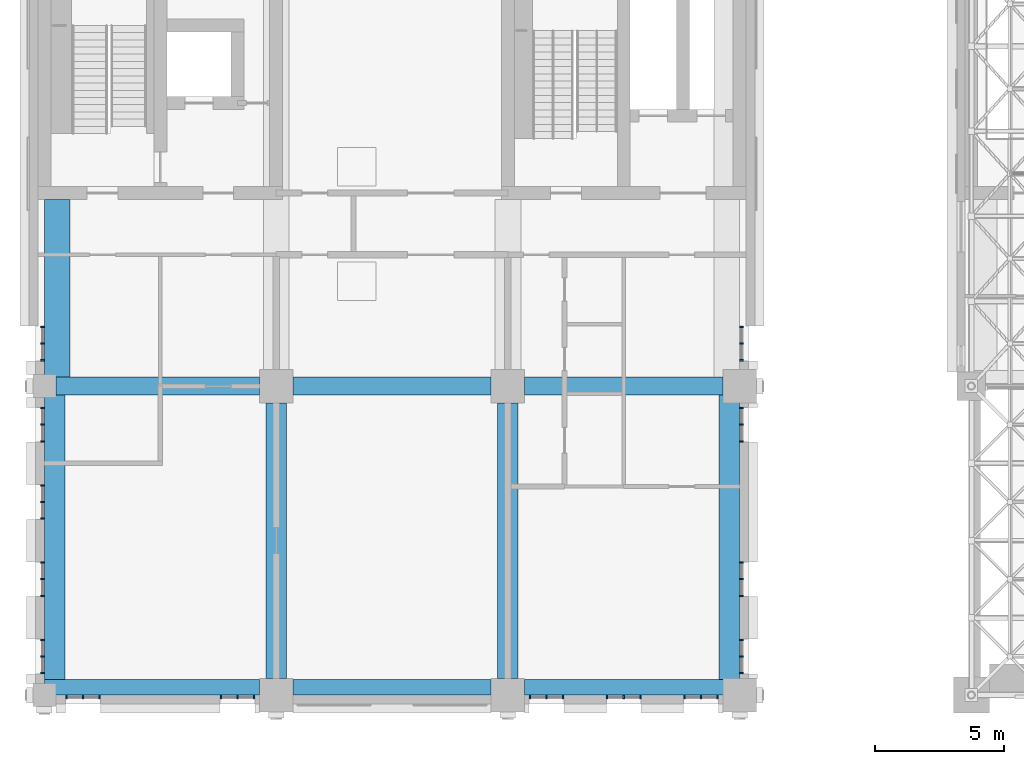
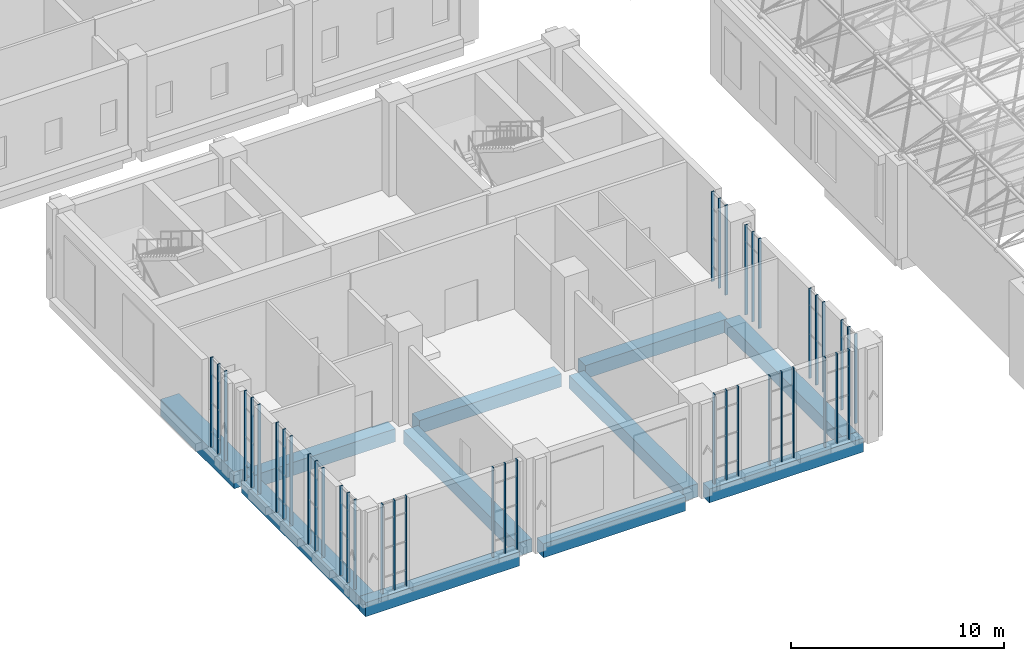
# One storey, part 2 of 53: 42 members, 11 beams, 14 elements without a shape of their own.
"""IFC4 building model written with IfcOpenShell, lengths in metres."""

import ifcopenshell
import ifcopenshell.guid

model = None  # the IFC model being written
_history = None  # IfcOwnerHistory: only IFC2X3 demands one
_inside = {}  # id of a spatial element -> (the spatial element, [elements in it])
_under = {}  # id of a project, library or spatial element -> (it, [spatial elements below it])
_declared = {}  # id of a project -> (the project, [libraries it declares])
_typed = {}  # id of a type object -> (the type object, [elements of that type])
_made_of = {}  # id of a material, layer set ... -> (it, [elements and type objects made of it])


def new_model(schema):
    """Start an empty IFC model of exactly this schema.

    Asked for "IFC4X3", IfcOpenShell would pick the latest addendum, in which some entities
    have other attributes; the version numbers below select the first issue.
    IFC2X3 requires an IfcOwnerHistory on every rooted entity: one is made here for all.
    """
    global model, _history
    if schema == "IFC4X3":
        model = ifcopenshell.file(schema_version=(4, 3, 0, 0))
    else:
        model = ifcopenshell.file(schema=schema)
    _inside.clear()
    _under.clear()
    _declared.clear()
    _typed.clear()
    _made_of.clear()
    _history = None
    if model.schema == "IFC2X3":
        org = make("IfcOrganization", Name="unknown")
        user = make(
            "IfcPersonAndOrganization",
            ThePerson=make("IfcPerson", FamilyName="unknown"),
            TheOrganization=org,
        )
        app = make(
            "IfcApplication",
            ApplicationDeveloper=org,
            Version="unknown",
            ApplicationFullName="unknown",
            ApplicationIdentifier="unknown",
        )
        _history = make(
            "IfcOwnerHistory",
            OwningUser=user,
            OwningApplication=app,
            ChangeAction="ADDED",
            CreationDate=0,
        )
    return model


def make(cls, **values):
    """One entity of the class cls with the attributes given. An attribute that is None is left unset."""
    return model.create_entity(
        cls, **{name: value for name, value in values.items() if value is not None}
    )


def rooted(cls, **values):
    """An entity with a GlobalId (a new one), such as an element, a storey or a relation."""
    return make(cls, GlobalId=ifcopenshell.guid.new(), OwnerHistory=_history, **values)


def si_unit(unit_type, name, prefix=None):
    """IfcSIUnit, for example si_unit("LENGTHUNIT", "METRE", prefix="MILLI")."""
    return make("IfcSIUnit", UnitType=unit_type, Prefix=prefix, Name=name)


def assignment(units):
    """IfcUnitAssignment: the units of a project."""
    return None if units is None else make("IfcUnitAssignment", Units=units)


def point(xyz):
    """IfcCartesianPoint."""
    return None if xyz is None else make("IfcCartesianPoint", Coordinates=xyz)


def direction(xyz):
    """IfcDirection."""
    return None if xyz is None else make("IfcDirection", DirectionRatios=xyz)


def frame(location, z_axis=None, x_axis=None):
    """IfcAxis2Placement3D, a coordinate frame: its origin and axes. An axis left out is left unset."""
    return make(
        "IfcAxis2Placement3D",
        Location=point(location),
        Axis=direction(z_axis),
        RefDirection=direction(x_axis),
    )


def frame_2d(location, x_axis=None):
    """IfcAxis2Placement2D, a coordinate frame in the plane: its origin and x axis."""
    return make(
        "IfcAxis2Placement2D", Location=point(location), RefDirection=direction(x_axis)
    )


def origin():
    """The frame at (0, 0, 0) with its axes left unset."""
    return frame((0.0, 0.0, 0.0))


def origin_2d():
    """The frame at (0, 0) in the plane with its x axis left unset."""
    return frame_2d((0.0, 0.0))


def place(relative_to, where):
    """IfcLocalPlacement: puts the frame where relative to a parent placement (None: the world)."""
    return make(
        "IfcLocalPlacement", PlacementRelTo=relative_to, RelativePlacement=where
    )


def context(
    kind, dimensions, precision=None, world=None, true_north=None, identifier=None
):
    """IfcGeometricRepresentationContext, for example the 3D "Model" context."""
    return make(
        "IfcGeometricRepresentationContext",
        ContextIdentifier=identifier,
        ContextType=kind,
        CoordinateSpaceDimension=dimensions,
        Precision=precision,
        WorldCoordinateSystem=world,
        TrueNorth=true_north,
    )


def subcontext(parent, identifier, kind, view, scale=None):
    """IfcGeometricRepresentationSubContext, for example "Body" below "Model"."""
    return make(
        "IfcGeometricRepresentationSubContext",
        ContextIdentifier=identifier,
        ContextType=kind,
        ParentContext=parent,
        TargetScale=scale,
        TargetView=view,
    )


def project(units=None, contexts=None):
    """IfcProject with its units and contexts."""
    return rooted(
        "IfcProject",
        Name="project",
        RepresentationContexts=contexts,
        UnitsInContext=assignment(units),
    )


def spatial(cls, under=None, at=None, **own):
    """A site, building, storey or space (cls), placed at a placement, below another one or the project."""
    s = rooted(cls, ObjectPlacement=at, **own)
    if under is not None:
        _under.setdefault(under.id(), (under, []))[1].append(s)
    return s


def profile(cls, at=None, kind="AREA", **sizes):
    """A parametric profile (cls). Its sizes go by their IFC names, for example OverallWidth=200.0."""
    return make(cls, ProfileType=kind, Position=at, **sizes)


def rectangle(**sizes):
    """IfcRectangleProfileDef."""
    return profile("IfcRectangleProfileDef", **sizes)


def extrude(swept, where, along, depth):
    """IfcExtrudedAreaSolid: the profile swept, set in the frame where, extruded along a direction by depth."""
    return make(
        "IfcExtrudedAreaSolid",
        SweptArea=swept,
        Position=where,
        ExtrudedDirection=direction(along),
        Depth=depth,
    )


def shape(context_of_items, identifier, shape_type, items):
    """IfcShapeRepresentation: the items that make up one representation, for example the "Body"."""
    return make(
        "IfcShapeRepresentation",
        ContextOfItems=context_of_items,
        RepresentationIdentifier=identifier,
        RepresentationType=shape_type,
        Items=items,
    )


def material(Name=None, Category=None):
    """IfcMaterial."""
    return make("IfcMaterial", Name=Name, Category=Category)


def layer(
    of_material, thickness, ventilated=None, Name=None, Category=None, Priority=None
):
    """IfcMaterialLayer: one layer of a wall or slab, of a material (None: an air gap)."""
    return make(
        "IfcMaterialLayer",
        Material=of_material,
        LayerThickness=thickness,
        IsVentilated=ventilated,
        Name=Name,
        Category=Category,
        Priority=Priority,
    )


def layer_set(layers, Name=None):
    """IfcMaterialLayerSet."""
    return make("IfcMaterialLayerSet", MaterialLayers=layers, LayerSetName=Name)


def material_profile(
    of_material, cross_section, Name=None, Category=None, Priority=None
):
    """IfcMaterialProfile: a cross section and its material."""
    return make(
        "IfcMaterialProfile",
        Name=Name,
        Material=of_material,
        Profile=cross_section,
        Priority=Priority,
        Category=Category,
    )


def profile_set(profiles, Name=None, composite=None):
    """IfcMaterialProfileSet."""
    return make(
        "IfcMaterialProfileSet",
        Name=Name,
        MaterialProfiles=profiles,
        CompositeProfile=composite,
    )


def made_of(thing, what):
    """Note that an element or type object is made of a material, layer set ...; save() writes the relation."""
    if what is not None:
        _made_of.setdefault(what.id(), (what, []))[1].append(thing)
    return thing


def type_object(cls, material=None, **own):
    """A type object (cls), such as IfcWallType, which elements share."""
    return made_of(rooted(cls, **own), material)


def element(
    cls,
    number,
    at=None,
    inside=None,
    cuts=None,
    type_object=None,
    material=None,
    context=None,
    identifier="Body",
    shape_type=None,
    held_by="IfcProductDefinitionShape",
    body=None,
    shapes=None,
    **own,
):
    """One element of the class cls, such as IfcWall. Its Tag is "e" and its number.

    at: its placement. inside: the storey or other place that contains it. cuts: it is an
    opening in that element (IfcRelVoidsElement). A single representation is given by context,
    identifier, shape_type and body (its items); several are given by shapes. held_by: the class
    of the entity that holds the representations. save() writes the other relations.
    """
    e = rooted(cls, Tag="e%d" % number, ObjectPlacement=at, **own)
    if body is not None:
        shapes = [shape(context, identifier, shape_type, body)]
    if shapes is not None:
        e.Representation = make(held_by, Representations=shapes)
    if inside is not None:
        _inside.setdefault(inside.id(), (inside, []))[1].append(e)
    if cuts is not None:
        rooted(
            "IfcRelVoidsElement", RelatingBuildingElement=cuts, RelatedOpeningElement=e
        )
    if type_object is not None:
        _typed.setdefault(type_object.id(), (type_object, []))[1].append(e)
    return made_of(e, material)


def aggregate(whole, parts):
    """IfcRelAggregates: a whole, such as a stair, and the parts it consists of."""
    return rooted("IfcRelAggregates", RelatingObject=whole, RelatedObjects=parts)


def save(model, path):
    """Write the relations noted so far, then the file.

    IfcRelAggregates (storeys below a building ...), IfcRelContainedInSpatialStructure (elements
    in a storey), IfcRelDefinesByType, IfcRelAssociatesMaterial and IfcRelDeclares: one each for
    every whole, place, type object, material and project.
    """
    for whole, parts in _under.values():
        aggregate(whole, parts)
    for where, things in _inside.values():
        rooted(
            "IfcRelContainedInSpatialStructure",
            RelatedElements=things,
            RelatingStructure=where,
        )
    for kind, things in _typed.values():
        rooted("IfcRelDefinesByType", RelatedObjects=things, RelatingType=kind)
    for what, things in _made_of.values():
        rooted("IfcRelAssociatesMaterial", RelatedObjects=things, RelatingMaterial=what)
    for by, libraries in _declared.values():
        rooted("IfcRelDeclares", RelatingContext=by, RelatedDefinitions=libraries)
    model.write(path)


model = new_model("IFC4")

# Units and contexts
model_context = context("Model", 3, precision=1e-05, world=origin(), true_north=direction((0.0, 1.0)))
body_context = subcontext(model_context, "Body", "Model", "MODEL_VIEW")
ifc_project = project(units=[si_unit("LENGTHUNIT", "METRE"), si_unit("AREAUNIT", "SQUARE_METRE"), si_unit("VOLUMEUNIT", "CUBIC_METRE"), si_unit("PLANEANGLEUNIT", "RADIAN"), si_unit("MASSUNIT", "GRAM", prefix="KILO")], contexts=[model_context])

# Site, building, storey
site_placement = place(None, origin())
site = spatial("IfcSite", under=ifc_project, at=site_placement, CompositionType="ELEMENT")
building_placement = place(site_placement, origin())
building = spatial("IfcBuilding", under=site, at=building_placement, Name="Aurelan Courthouse", CompositionType="ELEMENT")
storey_placement = place(building_placement, frame((0.0, 0.0, 12.0)))
storey = spatial("IfcBuildingStorey", under=building, at=storey_placement, Name="L02", CompositionType="ELEMENT", Elevation=12.0)

# Curtain wall, members
ifc_material_1 = material(Name="Bronze-finished aluminium and glass", Category="aluminium")
ifc_layer = layer(ifc_material_1, 0.14990234375)
ifc_layer_set = layer_set([ifc_layer], Name="Bronze-finished aluminium and glass")
curtain_wall_type = type_object("IfcCurtainWallType", Name="Curtain wall 1350 x 5150", PredefinedType="NOTDEFINED", material=ifc_layer_set)
curtain_wall_1_placement = place(storey_placement, origin())
curtain_wall_1 = element("IfcCurtainWall", 1, at=curtain_wall_1_placement, inside=storey, type_object=curtain_wall_type, Name="Curtain wall CW-V5-L02-S01", PredefinedType="NOTDEFINED")
ifc_material_2 = material(Name="Bronze-finished aluminium", Category="aluminium")
ifc_material_profile_1 = material_profile(ifc_material_2, rectangle(XDim=0.14990234375, YDim=0.06005859375, at=origin_2d()), Name="Bronze mullion 60 x 150")
ifc_profile_set_1 = profile_set([ifc_material_profile_1], Name="Bronze-finished aluminium")
member_type = type_object("IfcMemberType", Name="Curtain wall mullion 60 x 150", PredefinedType="MULLION", material=ifc_profile_set_1)
member_1_placement = place(storey_placement, frame((0.85498046875, -0.074951171875, 0.0), z_axis=(0.0, 0.0, 1.0), x_axis=(0.0, 1.0, 0.0)))
member_1 = element("IfcMember", 2, at=member_1_placement, type_object=member_type, Name="CW-V5-L02-S01 mullion 1", PredefinedType="MULLION", context=body_context, shape_type="SweptSolid", body=[
    extrude(rectangle(XDim=0.14990234375, YDim=0.06005859375, at=origin_2d()), origin(), (0.0, 0.0, 1.0), 5.14990234375),
])
member_2_placement = place(storey_placement, frame((1.5, -0.074951171875, 0.0), z_axis=(0.0, 0.0, 1.0), x_axis=(0.0, 1.0, 0.0)))
member_2 = element("IfcMember", 3, at=member_2_placement, type_object=member_type, Name="CW-V5-L02-S01 mullion 2", PredefinedType="MULLION", context=body_context, shape_type="SweptSolid", body=[
    extrude(rectangle(XDim=0.14990234375, YDim=0.06005859375, at=origin_2d()), origin(), (0.0, 0.0, 1.0), 5.14990234375),
])
member_3_placement = place(storey_placement, frame((2.14501953125, -0.074951171875, 0.0), z_axis=(0.0, 0.0, 1.0), x_axis=(0.0, 1.0, 0.0)))
member_3 = element("IfcMember", 4, at=member_3_placement, type_object=member_type, Name="CW-V5-L02-S01 mullion 3", PredefinedType="MULLION", context=body_context, shape_type="SweptSolid", body=[
    extrude(rectangle(XDim=0.14990234375, YDim=0.06005859375, at=origin_2d()), origin(), (0.0, 0.0, 1.0), 5.14990234375),
])
aggregate(curtain_wall_1, [member_1, member_2, member_3])

curtain_wall_2_placement = place(storey_placement, origin())
curtain_wall_2 = element("IfcCurtainWall", 5, at=curtain_wall_2_placement, inside=storey, type_object=curtain_wall_type, Name="Curtain wall CW-V5-L02-S02", PredefinedType="NOTDEFINED")
member_4_placement = place(storey_placement, frame((6.85498046875, -0.074951171875, 0.0), z_axis=(0.0, 0.0, 1.0), x_axis=(0.0, 1.0, 0.0)))
member_4 = element("IfcMember", 6, at=member_4_placement, type_object=member_type, Name="CW-V5-L02-S02 mullion 1", PredefinedType="MULLION", context=body_context, shape_type="SweptSolid", body=[
    extrude(rectangle(XDim=0.14990234375, YDim=0.06005859375, at=origin_2d()), origin(), (0.0, 0.0, 1.0), 5.14990234375),
])
member_5_placement = place(storey_placement, frame((7.5, -0.074951171875, 0.0), z_axis=(0.0, 0.0, 1.0), x_axis=(0.0, 1.0, 0.0)))
member_5 = element("IfcMember", 7, at=member_5_placement, type_object=member_type, Name="CW-V5-L02-S02 mullion 2", PredefinedType="MULLION", context=body_context, shape_type="SweptSolid", body=[
    extrude(rectangle(XDim=0.14990234375, YDim=0.06005859375, at=origin_2d()), origin(), (0.0, 0.0, 1.0), 5.14990234375),
])
member_6_placement = place(storey_placement, frame((8.14501953125, -0.074951171875, 0.0), z_axis=(0.0, 0.0, 1.0), x_axis=(0.0, 1.0, 0.0)))
member_6 = element("IfcMember", 8, at=member_6_placement, type_object=member_type, Name="CW-V5-L02-S02 mullion 3", PredefinedType="MULLION", context=body_context, shape_type="SweptSolid", body=[
    extrude(rectangle(XDim=0.14990234375, YDim=0.06005859375, at=origin_2d()), origin(), (0.0, 0.0, 1.0), 5.14990234375),
])
aggregate(curtain_wall_2, [member_4, member_5, member_6])

curtain_wall_3_placement = place(storey_placement, origin())
curtain_wall_3 = element("IfcCurtainWall", 9, at=curtain_wall_3_placement, inside=storey, type_object=curtain_wall_type, Name="Curtain wall CW-V5-L02-S03", PredefinedType="NOTDEFINED")
member_7_placement = place(storey_placement, frame((18.85498046875, -0.074951171875, 0.0), z_axis=(0.0, 0.0, 1.0), x_axis=(0.0, 1.0, 0.0)))
member_7 = element("IfcMember", 10, at=member_7_placement, type_object=member_type, Name="CW-V5-L02-S03 mullion 1", PredefinedType="MULLION", context=body_context, shape_type="SweptSolid", body=[
    extrude(rectangle(XDim=0.14990234375, YDim=0.06005859375, at=origin_2d()), origin(), (0.0, 0.0, 1.0), 5.14990234375),
])
member_8_placement = place(storey_placement, frame((19.5, -0.074951171875, 0.0), z_axis=(0.0, 0.0, 1.0), x_axis=(0.0, 1.0, 0.0)))
member_8 = element("IfcMember", 11, at=member_8_placement, type_object=member_type, Name="CW-V5-L02-S03 mullion 2", PredefinedType="MULLION", context=body_context, shape_type="SweptSolid", body=[
    extrude(rectangle(XDim=0.14990234375, YDim=0.06005859375, at=origin_2d()), origin(), (0.0, 0.0, 1.0), 5.14990234375),
])
member_9_placement = place(storey_placement, frame((20.14501953125, -0.074951171875, 0.0), z_axis=(0.0, 0.0, 1.0), x_axis=(0.0, 1.0, 0.0)))
member_9 = element("IfcMember", 12, at=member_9_placement, type_object=member_type, Name="CW-V5-L02-S03 mullion 3", PredefinedType="MULLION", context=body_context, shape_type="SweptSolid", body=[
    extrude(rectangle(XDim=0.14990234375, YDim=0.06005859375, at=origin_2d()), origin(), (0.0, 0.0, 1.0), 5.14990234375),
])
aggregate(curtain_wall_3, [member_7, member_8, member_9])

curtain_wall_4_placement = place(storey_placement, origin())
curtain_wall_4 = element("IfcCurtainWall", 13, at=curtain_wall_4_placement, inside=storey, type_object=curtain_wall_type, Name="Curtain wall CW-V5-L02-S04", PredefinedType="NOTDEFINED")
member_10_placement = place(storey_placement, frame((21.85498046875, -0.074951171875, 0.0), z_axis=(0.0, 0.0, 1.0), x_axis=(0.0, 1.0, 0.0)))
member_10 = element("IfcMember", 14, at=member_10_placement, type_object=member_type, Name="CW-V5-L02-S04 mullion 1", PredefinedType="MULLION", context=body_context, shape_type="SweptSolid", body=[
    extrude(rectangle(XDim=0.14990234375, YDim=0.06005859375, at=origin_2d()), origin(), (0.0, 0.0, 1.0), 5.14990234375),
])
member_11_placement = place(storey_placement, frame((22.5, -0.074951171875, 0.0), z_axis=(0.0, 0.0, 1.0), x_axis=(0.0, 1.0, 0.0)))
member_11 = element("IfcMember", 15, at=member_11_placement, type_object=member_type, Name="CW-V5-L02-S04 mullion 2", PredefinedType="MULLION", context=body_context, shape_type="SweptSolid", body=[
    extrude(rectangle(XDim=0.14990234375, YDim=0.06005859375, at=origin_2d()), origin(), (0.0, 0.0, 1.0), 5.14990234375),
])
member_12_placement = place(storey_placement, frame((23.14501953125, -0.074951171875, 0.0), z_axis=(0.0, 0.0, 1.0), x_axis=(0.0, 1.0, 0.0)))
member_12 = element("IfcMember", 16, at=member_12_placement, type_object=member_type, Name="CW-V5-L02-S04 mullion 3", PredefinedType="MULLION", context=body_context, shape_type="SweptSolid", body=[
    extrude(rectangle(XDim=0.14990234375, YDim=0.06005859375, at=origin_2d()), origin(), (0.0, 0.0, 1.0), 5.14990234375),
])
aggregate(curtain_wall_4, [member_10, member_11, member_12])

curtain_wall_5_placement = place(storey_placement, origin())
curtain_wall_5 = element("IfcCurtainWall", 17, at=curtain_wall_5_placement, inside=storey, type_object=curtain_wall_type, Name="Curtain wall CW-V5-L02-S05", PredefinedType="NOTDEFINED")
member_13_placement = place(storey_placement, frame((24.85498046875, -0.074951171875, 0.0), z_axis=(0.0, 0.0, 1.0), x_axis=(0.0, 1.0, 0.0)))
member_13 = element("IfcMember", 18, at=member_13_placement, type_object=member_type, Name="CW-V5-L02-S05 mullion 1", PredefinedType="MULLION", context=body_context, shape_type="SweptSolid", body=[
    extrude(rectangle(XDim=0.14990234375, YDim=0.06005859375, at=origin_2d()), origin(), (0.0, 0.0, 1.0), 5.14990234375),
])
member_14_placement = place(storey_placement, frame((25.5, -0.074951171875, 0.0), z_axis=(0.0, 0.0, 1.0), x_axis=(0.0, 1.0, 0.0)))
member_14 = element("IfcMember", 19, at=member_14_placement, type_object=member_type, Name="CW-V5-L02-S05 mullion 2", PredefinedType="MULLION", context=body_context, shape_type="SweptSolid", body=[
    extrude(rectangle(XDim=0.14990234375, YDim=0.06005859375, at=origin_2d()), origin(), (0.0, 0.0, 1.0), 5.14990234375),
])
member_15_placement = place(storey_placement, frame((26.14501953125, -0.074951171875, 0.0), z_axis=(0.0, 0.0, 1.0), x_axis=(0.0, 1.0, 0.0)))
member_15 = element("IfcMember", 20, at=member_15_placement, type_object=member_type, Name="CW-V5-L02-S05 mullion 3", PredefinedType="MULLION", context=body_context, shape_type="SweptSolid", body=[
    extrude(rectangle(XDim=0.14990234375, YDim=0.06005859375, at=origin_2d()), origin(), (0.0, 0.0, 1.0), 5.14990234375),
])
aggregate(curtain_wall_5, [member_13, member_14, member_15])

curtain_wall_6_placement = place(storey_placement, origin())
curtain_wall_6 = element("IfcCurtainWall", 21, at=curtain_wall_6_placement, inside=storey, type_object=curtain_wall_type, Name="Curtain wall CW-V5-L02-E01", PredefinedType="NOTDEFINED")
member_16_placement = place(storey_placement, frame((27.074951171875, 0.85498046875, 0.0), z_axis=(0.0, 0.0, 1.0), x_axis=(-1.0, 0.0, 0.0)))
member_16 = element("IfcMember", 22, at=member_16_placement, type_object=member_type, Name="CW-V5-L02-E01 mullion 1", PredefinedType="MULLION", context=body_context, shape_type="SweptSolid", body=[
    extrude(rectangle(XDim=0.14990234375, YDim=0.06005859375, at=origin_2d()), origin(), (0.0, 0.0, 1.0), 5.14990234375),
])
member_17_placement = place(storey_placement, frame((27.074951171875, 1.5, 0.0), z_axis=(0.0, 0.0, 1.0), x_axis=(-1.0, 0.0, 0.0)))
member_17 = element("IfcMember", 23, at=member_17_placement, type_object=member_type, Name="CW-V5-L02-E01 mullion 2", PredefinedType="MULLION", context=body_context, shape_type="SweptSolid", body=[
    extrude(rectangle(XDim=0.14990234375, YDim=0.06005859375, at=origin_2d()), origin(), (0.0, 0.0, 1.0), 5.14990234375),
])
member_18_placement = place(storey_placement, frame((27.074951171875, 2.14501953125, 0.0), z_axis=(0.0, 0.0, 1.0), x_axis=(-1.0, 0.0, 0.0)))
member_18 = element("IfcMember", 24, at=member_18_placement, type_object=member_type, Name="CW-V5-L02-E01 mullion 3", PredefinedType="MULLION", context=body_context, shape_type="SweptSolid", body=[
    extrude(rectangle(XDim=0.14990234375, YDim=0.06005859375, at=origin_2d()), origin(), (0.0, 0.0, 1.0), 5.14990234375),
])
aggregate(curtain_wall_6, [member_16, member_17, member_18])

curtain_wall_7_placement = place(storey_placement, origin())
curtain_wall_7 = element("IfcCurtainWall", 25, at=curtain_wall_7_placement, inside=storey, type_object=curtain_wall_type, Name="Curtain wall CW-V5-L02-E02", PredefinedType="NOTDEFINED")
member_19_placement = place(storey_placement, frame((27.074951171875, 3.85498046875, 0.0), z_axis=(0.0, 0.0, 1.0), x_axis=(-1.0, 0.0, 0.0)))
member_19 = element("IfcMember", 26, at=member_19_placement, type_object=member_type, Name="CW-V5-L02-E02 mullion 1", PredefinedType="MULLION", context=body_context, shape_type="SweptSolid", body=[
    extrude(rectangle(XDim=0.14990234375, YDim=0.06005859375, at=origin_2d()), origin(), (0.0, 0.0, 1.0), 5.14990234375),
])
member_20_placement = place(storey_placement, frame((27.074951171875, 4.5, 0.0), z_axis=(0.0, 0.0, 1.0), x_axis=(-1.0, 0.0, 0.0)))
member_20 = element("IfcMember", 27, at=member_20_placement, type_object=member_type, Name="CW-V5-L02-E02 mullion 2", PredefinedType="MULLION", context=body_context, shape_type="SweptSolid", body=[
    extrude(rectangle(XDim=0.14990234375, YDim=0.06005859375, at=origin_2d()), origin(), (0.0, 0.0, 1.0), 5.14990234375),
])
member_21_placement = place(storey_placement, frame((27.074951171875, 5.14501953125, 0.0), z_axis=(0.0, 0.0, 1.0), x_axis=(-1.0, 0.0, 0.0)))
member_21 = element("IfcMember", 28, at=member_21_placement, type_object=member_type, Name="CW-V5-L02-E02 mullion 3", PredefinedType="MULLION", context=body_context, shape_type="SweptSolid", body=[
    extrude(rectangle(XDim=0.14990234375, YDim=0.06005859375, at=origin_2d()), origin(), (0.0, 0.0, 1.0), 5.14990234375),
])
aggregate(curtain_wall_7, [member_19, member_20, member_21])

curtain_wall_8_placement = place(storey_placement, origin())
curtain_wall_8 = element("IfcCurtainWall", 29, at=curtain_wall_8_placement, inside=storey, type_object=curtain_wall_type, Name="Curtain wall CW-V5-L02-E03", PredefinedType="NOTDEFINED")
member_22_placement = place(storey_placement, frame((27.074951171875, 9.85498046875, 0.0), z_axis=(0.0, 0.0, 1.0), x_axis=(-1.0, 0.0, 0.0)))
member_22 = element("IfcMember", 30, at=member_22_placement, type_object=member_type, Name="CW-V5-L02-E03 mullion 1", PredefinedType="MULLION", context=body_context, shape_type="SweptSolid", body=[
    extrude(rectangle(XDim=0.14990234375, YDim=0.06005859375, at=origin_2d()), origin(), (0.0, 0.0, 1.0), 5.14990234375),
])
member_23_placement = place(storey_placement, frame((27.074951171875, 10.5, 0.0), z_axis=(0.0, 0.0, 1.0), x_axis=(-1.0, 0.0, 0.0)))
member_23 = element("IfcMember", 31, at=member_23_placement, type_object=member_type, Name="CW-V5-L02-E03 mullion 2", PredefinedType="MULLION", context=body_context, shape_type="SweptSolid", body=[
    extrude(rectangle(XDim=0.14990234375, YDim=0.06005859375, at=origin_2d()), origin(), (0.0, 0.0, 1.0), 5.14990234375),
])
member_24_placement = place(storey_placement, frame((27.074951171875, 11.14501953125, 0.0), z_axis=(0.0, 0.0, 1.0), x_axis=(-1.0, 0.0, 0.0)))
member_24 = element("IfcMember", 32, at=member_24_placement, type_object=member_type, Name="CW-V5-L02-E03 mullion 3", PredefinedType="MULLION", context=body_context, shape_type="SweptSolid", body=[
    extrude(rectangle(XDim=0.14990234375, YDim=0.06005859375, at=origin_2d()), origin(), (0.0, 0.0, 1.0), 5.14990234375),
])
aggregate(curtain_wall_8, [member_22, member_23, member_24])

curtain_wall_9_placement = place(storey_placement, origin())
curtain_wall_9 = element("IfcCurtainWall", 33, at=curtain_wall_9_placement, inside=storey, type_object=curtain_wall_type, Name="Curtain wall CW-V5-L02-E04", PredefinedType="NOTDEFINED")
member_25_placement = place(storey_placement, frame((27.074951171875, 13.0048828125, 0.0), z_axis=(0.0, 0.0, 1.0), x_axis=(-1.0, 0.0, 0.0)))
member_25 = element("IfcMember", 34, at=member_25_placement, type_object=member_type, Name="CW-V5-L02-E04 mullion 1", PredefinedType="MULLION", context=body_context, shape_type="SweptSolid", body=[
    extrude(rectangle(XDim=0.14990234375, YDim=0.06005859375, at=origin_2d()), origin(), (0.0, 0.0, 1.0), 5.14990234375),
])
member_26_placement = place(storey_placement, frame((27.074951171875, 13.64990234375, 0.0), z_axis=(0.0, 0.0, 1.0), x_axis=(-1.0, 0.0, 0.0)))
member_26 = element("IfcMember", 35, at=member_26_placement, type_object=member_type, Name="CW-V5-L02-E04 mullion 2", PredefinedType="MULLION", context=body_context, shape_type="SweptSolid", body=[
    extrude(rectangle(XDim=0.14990234375, YDim=0.06005859375, at=origin_2d()), origin(), (0.0, 0.0, 1.0), 5.14990234375),
])
member_27_placement = place(storey_placement, frame((27.074951171875, 14.294921875, 0.0), z_axis=(0.0, 0.0, 1.0), x_axis=(-1.0, 0.0, 0.0)))
member_27 = element("IfcMember", 36, at=member_27_placement, type_object=member_type, Name="CW-V5-L02-E04 mullion 3", PredefinedType="MULLION", context=body_context, shape_type="SweptSolid", body=[
    extrude(rectangle(XDim=0.14990234375, YDim=0.06005859375, at=origin_2d()), origin(), (0.0, 0.0, 1.0), 5.14990234375),
])
aggregate(curtain_wall_9, [member_25, member_26, member_27])

curtain_wall_10_placement = place(storey_placement, origin())
curtain_wall_10 = element("IfcCurtainWall", 37, at=curtain_wall_10_placement, inside=storey, type_object=curtain_wall_type, Name="Curtain wall CW-V5-L02-W01", PredefinedType="NOTDEFINED")
member_28_placement = place(storey_placement, frame((-0.074951171875, 0.85498046875, 0.0), z_axis=(0.0, 0.0, 1.0), x_axis=(-1.0, 0.0, 0.0)))
member_28 = element("IfcMember", 38, at=member_28_placement, type_object=member_type, Name="CW-V5-L02-W01 mullion 1", PredefinedType="MULLION", context=body_context, shape_type="SweptSolid", body=[
    extrude(rectangle(XDim=0.14990234375, YDim=0.06005859375, at=origin_2d()), origin(), (0.0, 0.0, 1.0), 5.14990234375),
])
member_29_placement = place(storey_placement, frame((-0.074951171875, 1.5, 0.0), z_axis=(0.0, 0.0, 1.0), x_axis=(-1.0, 0.0, 0.0)))
member_29 = element("IfcMember", 39, at=member_29_placement, type_object=member_type, Name="CW-V5-L02-W01 mullion 2", PredefinedType="MULLION", context=body_context, shape_type="SweptSolid", body=[
    extrude(rectangle(XDim=0.14990234375, YDim=0.06005859375, at=origin_2d()), origin(), (0.0, 0.0, 1.0), 5.14990234375),
])
member_30_placement = place(storey_placement, frame((-0.074951171875, 2.14501953125, 0.0), z_axis=(0.0, 0.0, 1.0), x_axis=(-1.0, 0.0, 0.0)))
member_30 = element("IfcMember", 40, at=member_30_placement, type_object=member_type, Name="CW-V5-L02-W01 mullion 3", PredefinedType="MULLION", context=body_context, shape_type="SweptSolid", body=[
    extrude(rectangle(XDim=0.14990234375, YDim=0.06005859375, at=origin_2d()), origin(), (0.0, 0.0, 1.0), 5.14990234375),
])
aggregate(curtain_wall_10, [member_28, member_29, member_30])

curtain_wall_11_placement = place(storey_placement, origin())
curtain_wall_11 = element("IfcCurtainWall", 41, at=curtain_wall_11_placement, inside=storey, type_object=curtain_wall_type, Name="Curtain wall CW-V5-L02-W02", PredefinedType="NOTDEFINED")
member_31_placement = place(storey_placement, frame((-0.074951171875, 3.85498046875, 0.0), z_axis=(0.0, 0.0, 1.0), x_axis=(-1.0, 0.0, 0.0)))
member_31 = element("IfcMember", 42, at=member_31_placement, type_object=member_type, Name="CW-V5-L02-W02 mullion 1", PredefinedType="MULLION", context=body_context, shape_type="SweptSolid", body=[
    extrude(rectangle(XDim=0.14990234375, YDim=0.06005859375, at=origin_2d()), origin(), (0.0, 0.0, 1.0), 5.14990234375),
])
member_32_placement = place(storey_placement, frame((-0.074951171875, 4.5, 0.0), z_axis=(0.0, 0.0, 1.0), x_axis=(-1.0, 0.0, 0.0)))
member_32 = element("IfcMember", 43, at=member_32_placement, type_object=member_type, Name="CW-V5-L02-W02 mullion 2", PredefinedType="MULLION", context=body_context, shape_type="SweptSolid", body=[
    extrude(rectangle(XDim=0.14990234375, YDim=0.06005859375, at=origin_2d()), origin(), (0.0, 0.0, 1.0), 5.14990234375),
])
member_33_placement = place(storey_placement, frame((-0.074951171875, 5.14501953125, 0.0), z_axis=(0.0, 0.0, 1.0), x_axis=(-1.0, 0.0, 0.0)))
member_33 = element("IfcMember", 44, at=member_33_placement, type_object=member_type, Name="CW-V5-L02-W02 mullion 3", PredefinedType="MULLION", context=body_context, shape_type="SweptSolid", body=[
    extrude(rectangle(XDim=0.14990234375, YDim=0.06005859375, at=origin_2d()), origin(), (0.0, 0.0, 1.0), 5.14990234375),
])
aggregate(curtain_wall_11, [member_31, member_32, member_33])

curtain_wall_12_placement = place(storey_placement, origin())
curtain_wall_12 = element("IfcCurtainWall", 45, at=curtain_wall_12_placement, inside=storey, type_object=curtain_wall_type, Name="Curtain wall CW-V5-L02-W03", PredefinedType="NOTDEFINED")
member_34_placement = place(storey_placement, frame((-0.074951171875, 6.85498046875, 0.0), z_axis=(0.0, 0.0, 1.0), x_axis=(-1.0, 0.0, 0.0)))
member_34 = element("IfcMember", 46, at=member_34_placement, type_object=member_type, Name="CW-V5-L02-W03 mullion 1", PredefinedType="MULLION", context=body_context, shape_type="SweptSolid", body=[
    extrude(rectangle(XDim=0.14990234375, YDim=0.06005859375, at=origin_2d()), origin(), (0.0, 0.0, 1.0), 5.14990234375),
])
member_35_placement = place(storey_placement, frame((-0.074951171875, 7.5, 0.0), z_axis=(0.0, 0.0, 1.0), x_axis=(-1.0, 0.0, 0.0)))
member_35 = element("IfcMember", 47, at=member_35_placement, type_object=member_type, Name="CW-V5-L02-W03 mullion 2", PredefinedType="MULLION", context=body_context, shape_type="SweptSolid", body=[
    extrude(rectangle(XDim=0.14990234375, YDim=0.06005859375, at=origin_2d()), origin(), (0.0, 0.0, 1.0), 5.14990234375),
])
member_36_placement = place(storey_placement, frame((-0.074951171875, 8.14501953125, 0.0), z_axis=(0.0, 0.0, 1.0), x_axis=(-1.0, 0.0, 0.0)))
member_36 = element("IfcMember", 48, at=member_36_placement, type_object=member_type, Name="CW-V5-L02-W03 mullion 3", PredefinedType="MULLION", context=body_context, shape_type="SweptSolid", body=[
    extrude(rectangle(XDim=0.14990234375, YDim=0.06005859375, at=origin_2d()), origin(), (0.0, 0.0, 1.0), 5.14990234375),
])
aggregate(curtain_wall_12, [member_34, member_35, member_36])

curtain_wall_13_placement = place(storey_placement, origin())
curtain_wall_13 = element("IfcCurtainWall", 49, at=curtain_wall_13_placement, inside=storey, type_object=curtain_wall_type, Name="Curtain wall CW-V5-L02-W04", PredefinedType="NOTDEFINED")
member_37_placement = place(storey_placement, frame((-0.074951171875, 9.85498046875, 0.0), z_axis=(0.0, 0.0, 1.0), x_axis=(-1.0, 0.0, 0.0)))
member_37 = element("IfcMember", 50, at=member_37_placement, type_object=member_type, Name="CW-V5-L02-W04 mullion 1", PredefinedType="MULLION", context=body_context, shape_type="SweptSolid", body=[
    extrude(rectangle(XDim=0.14990234375, YDim=0.06005859375, at=origin_2d()), origin(), (0.0, 0.0, 1.0), 5.14990234375),
])
member_38_placement = place(storey_placement, frame((-0.074951171875, 10.5, 0.0), z_axis=(0.0, 0.0, 1.0), x_axis=(-1.0, 0.0, 0.0)))
member_38 = element("IfcMember", 51, at=member_38_placement, type_object=member_type, Name="CW-V5-L02-W04 mullion 2", PredefinedType="MULLION", context=body_context, shape_type="SweptSolid", body=[
    extrude(rectangle(XDim=0.14990234375, YDim=0.06005859375, at=origin_2d()), origin(), (0.0, 0.0, 1.0), 5.14990234375),
])
member_39_placement = place(storey_placement, frame((-0.074951171875, 11.14501953125, 0.0), z_axis=(0.0, 0.0, 1.0), x_axis=(-1.0, 0.0, 0.0)))
member_39 = element("IfcMember", 52, at=member_39_placement, type_object=member_type, Name="CW-V5-L02-W04 mullion 3", PredefinedType="MULLION", context=body_context, shape_type="SweptSolid", body=[
    extrude(rectangle(XDim=0.14990234375, YDim=0.06005859375, at=origin_2d()), origin(), (0.0, 0.0, 1.0), 5.14990234375),
])
aggregate(curtain_wall_13, [member_37, member_38, member_39])

curtain_wall_14_placement = place(storey_placement, origin())
curtain_wall_14 = element("IfcCurtainWall", 53, at=curtain_wall_14_placement, inside=storey, type_object=curtain_wall_type, Name="Curtain wall CW-V5-L02-W05", PredefinedType="NOTDEFINED")
member_40_placement = place(storey_placement, frame((-0.074951171875, 13.0048828125, 0.0), z_axis=(0.0, 0.0, 1.0), x_axis=(-1.0, 0.0, 0.0)))
member_40 = element("IfcMember", 54, at=member_40_placement, type_object=member_type, Name="CW-V5-L02-W05 mullion 1", PredefinedType="MULLION", context=body_context, shape_type="SweptSolid", body=[
    extrude(rectangle(XDim=0.14990234375, YDim=0.06005859375, at=origin_2d()), origin(), (0.0, 0.0, 1.0), 5.14990234375),
])
member_41_placement = place(storey_placement, frame((-0.074951171875, 13.64990234375, 0.0), z_axis=(0.0, 0.0, 1.0), x_axis=(-1.0, 0.0, 0.0)))
member_41 = element("IfcMember", 55, at=member_41_placement, type_object=member_type, Name="CW-V5-L02-W05 mullion 2", PredefinedType="MULLION", context=body_context, shape_type="SweptSolid", body=[
    extrude(rectangle(XDim=0.14990234375, YDim=0.06005859375, at=origin_2d()), origin(), (0.0, 0.0, 1.0), 5.14990234375),
])
member_42_placement = place(storey_placement, frame((-0.074951171875, 14.294921875, 0.0), z_axis=(0.0, 0.0, 1.0), x_axis=(-1.0, 0.0, 0.0)))
member_42 = element("IfcMember", 56, at=member_42_placement, type_object=member_type, Name="CW-V5-L02-W05 mullion 3", PredefinedType="MULLION", context=body_context, shape_type="SweptSolid", body=[
    extrude(rectangle(XDim=0.14990234375, YDim=0.06005859375, at=origin_2d()), origin(), (0.0, 0.0, 1.0), 5.14990234375),
])
aggregate(curtain_wall_14, [member_40, member_41, member_42])

# Beams
ifc_material_3 = material(Name="Concrete C50", Category="concrete")
ifc_material_profile_2 = material_profile(ifc_material_3, rectangle(XDim=0.699951171875, YDim=0.75, at=origin_2d()), Name="RC 700 x 750")
ifc_profile_set_2 = profile_set([ifc_material_profile_2], Name="Concrete C50")
beam_type_1 = type_object("IfcBeamType", Name="PT beam 700 x 750", PredefinedType="BEAM", material=ifc_profile_set_2)
beam_1_placement = place(storey_placement, frame((0.449951171875, 12.0, -0.675048828125), z_axis=(1.0, 0.0, 0.0), x_axis=(0.0, 1.0, 0.0)))
element("IfcBeam", 57, at=beam_1_placement, inside=storey, type_object=beam_type_1, Name="Beam EB-B-1-2", PredefinedType="BEAM", context=body_context, shape_type="SweptSolid", body=[
    extrude(rectangle(XDim=0.699951171875, YDim=0.75, at=origin_2d()), origin(), (0.0, 0.0, 1.0), 7.900146484375),
])
for number, where, z_axis, x_axis, name in (
    (58, (9.64990234375, 12.0, -0.675048828125), (1.0, 0.0, 0.0), (0.0, 1.0, 0.0), "Beam EB-B-2-3"),
    (59, (18.64990234375, 12.0, -0.675048828125), (1.0, 0.0, 0.0), (0.0, 1.0, 0.0), "Beam EB-B-3-4"),
):
    element("IfcBeam", number, at=place(storey_placement, frame(where, z_axis=z_axis, x_axis=x_axis)), inside=storey, type_object=beam_type_1, Name=name, PredefinedType="BEAM", context=body_context, shape_type="SweptSolid", body=[
        extrude(rectangle(XDim=0.699951171875, YDim=0.75, at=origin_2d()), origin(), (0.0, 0.0, 1.0), 7.7001953125),
    ])
ifc_material_profile_3 = material_profile(ifc_material_3, rectangle(XDim=1.0, YDim=0.949951171875, at=origin_2d()), Name="RC 1000 x 950")
ifc_profile_set_3 = profile_set([ifc_material_profile_3], Name="Concrete C50")
beam_type_2 = type_object("IfcBeamType", Name="PT girder 1000 x 950", PredefinedType="BEAM", material=ifc_profile_set_3)
beam_2_placement = place(storey_placement, frame((0.5, 12.35009765625, -0.77490234375), z_axis=(0.0, 1.0, 0.0), x_axis=(-1.0, 0.0, 0.0)))
element("IfcBeam", 60, at=beam_2_placement, inside=storey, type_object=beam_type_2, Name="Girder GB-1BC-E", PredefinedType="BEAM", context=body_context, shape_type="SweptSolid", body=[
    extrude(rectangle(XDim=1.0, YDim=0.949951171875, at=origin_2d()), origin(), (0.0, 0.0, 1.0), 6.89990234375),
])
ifc_material_profile_4 = material_profile(ifc_material_3, rectangle(XDim=0.800048828125, YDim=0.75, at=origin_2d()), Name="RC 800 x 750")
ifc_profile_set_4 = profile_set([ifc_material_profile_4], Name="Concrete C50")
beam_type_3 = type_object("IfcBeamType", Name="PT girder 800 x 750", PredefinedType="BEAM", material=ifc_profile_set_4)
beam_3_placement = place(storey_placement, frame((0.39990234375, 0.60009765625, -0.675048828125), z_axis=(0.0, 1.0, 0.0), x_axis=(-1.0, 0.0, 0.0)))
element("IfcBeam", 61, at=beam_3_placement, inside=storey, type_object=beam_type_3, Name="Girder GB-1AB-E", PredefinedType="BEAM", context=body_context, shape_type="SweptSolid", body=[
    extrude(rectangle(XDim=0.800048828125, YDim=0.75, at=origin_2d()), origin(), (0.0, 0.0, 1.0), 11.0498046875),
])
for number, where, z_axis, x_axis, name in (
    (62, (9.0, 0.64990234375, -0.675048828125), (0.0, 1.0, 0.0), (-1.0, 0.0, 0.0), "Girder GB-2AB"),
    (63, (18.0, 0.64990234375, -0.675048828125), (0.0, 1.0, 0.0), (-1.0, 0.0, 0.0), "Girder GB-3AB"),
):
    element("IfcBeam", number, at=place(storey_placement, frame(where, z_axis=z_axis, x_axis=x_axis)), inside=storey, type_object=beam_type_3, Name=name, PredefinedType="BEAM", context=body_context, shape_type="SweptSolid", body=[
        extrude(rectangle(XDim=0.800048828125, YDim=0.75, at=origin_2d()), origin(), (0.0, 0.0, 1.0), 10.7001953125),
    ])
beam_4_placement = place(storey_placement, frame((26.60009765625, 0.60009765625, -0.675048828125), z_axis=(0.0, 1.0, 0.0), x_axis=(-1.0, 0.0, 0.0)))
element("IfcBeam", 64, at=beam_4_placement, inside=storey, type_object=beam_type_3, Name="Girder GB-4AB-E", PredefinedType="BEAM", context=body_context, shape_type="SweptSolid", body=[
    extrude(rectangle(XDim=0.800048828125, YDim=0.75, at=origin_2d()), origin(), (0.0, 0.0, 1.0), 11.0498046875),
])
ifc_material_profile_5 = material_profile(ifc_material_3, rectangle(XDim=0.60009765625, YDim=0.800048828125, at=origin_2d()), Name="RC 600 x 800")
ifc_profile_set_5 = profile_set([ifc_material_profile_5], Name="Concrete C50")
beam_type_4 = type_object("IfcBeamType", Name="RC spandrel beam 600 x 800", PredefinedType="SPANDREL", material=ifc_profile_set_5)
beam_5_placement = place(storey_placement, frame((0.0, 0.300048828125, -0.699951171875), z_axis=(1.0, 0.0, 0.0), x_axis=(0.0, 1.0, 0.0)))
element("IfcBeam", 65, at=beam_5_placement, inside=storey, type_object=beam_type_4, Name="Spandrel beam SB-A-1-2", PredefinedType="SPANDREL", context=body_context, shape_type="SweptSolid", body=[
    extrude(rectangle(XDim=0.60009765625, YDim=0.800048828125, at=origin_2d()), origin(), (0.0, 0.0, 1.0), 8.35009765625),
])
beam_6_placement = place(storey_placement, frame((9.64990234375, 0.300048828125, -0.699951171875), z_axis=(1.0, 0.0, 0.0), x_axis=(0.0, 1.0, 0.0)))
element("IfcBeam", 66, at=beam_6_placement, inside=storey, type_object=beam_type_4, Name="Spandrel beam SB-A-2-3", PredefinedType="SPANDREL", context=body_context, shape_type="SweptSolid", body=[
    extrude(rectangle(XDim=0.60009765625, YDim=0.800048828125, at=origin_2d()), origin(), (0.0, 0.0, 1.0), 7.7001953125),
])
beam_7_placement = place(storey_placement, frame((18.64990234375, 0.300048828125, -0.699951171875), z_axis=(1.0, 0.0, 0.0), x_axis=(0.0, 1.0, 0.0)))
element("IfcBeam", 67, at=beam_7_placement, inside=storey, type_object=beam_type_4, Name="Spandrel beam SB-A-3-4", PredefinedType="SPANDREL", context=body_context, shape_type="SweptSolid", body=[
    extrude(rectangle(XDim=0.60009765625, YDim=0.800048828125, at=origin_2d()), origin(), (0.0, 0.0, 1.0), 8.35009765625),
])

save(model, "model.ifc")
